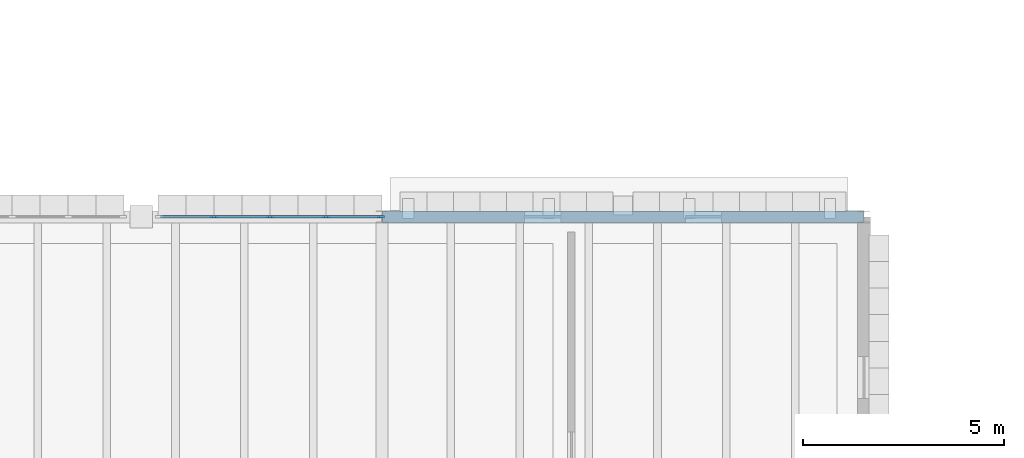
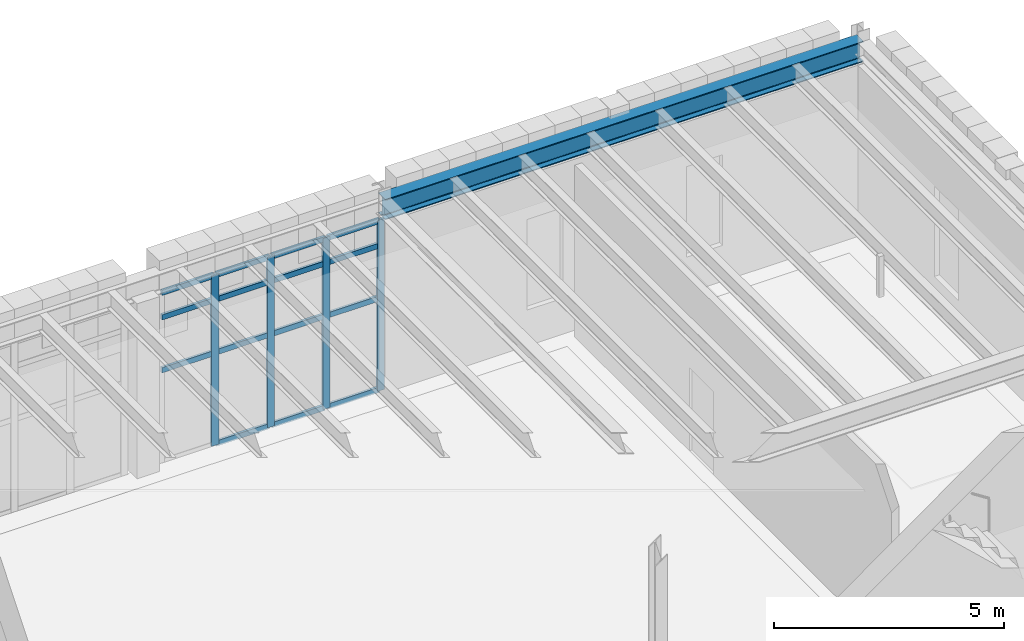
# One storey, part 43 of 100: 19 members, 1 beam, 1 element without a shape of its own.
"""IFC4 building model written with IfcOpenShell, lengths in metres."""

from ifc_helpers import new_model, si_unit, direction, frame, origin, origin_2d, place, context, subcontext, project, spatial, rectangle, i_section, extrude, material, layer, layer_set, material_profile, profile_set, type_object, element, aggregate, save


model = new_model("IFC4")

# Units and contexts
model_context = context("Model", 3, precision=1e-05, world=origin(), true_north=direction((0.0, 1.0)))
body_context = subcontext(model_context, "Body", "Model", "MODEL_VIEW")
ifc_project = project(units=[si_unit("LENGTHUNIT", "METRE"), si_unit("AREAUNIT", "SQUARE_METRE"), si_unit("VOLUMEUNIT", "CUBIC_METRE"), si_unit("PLANEANGLEUNIT", "RADIAN"), si_unit("MASSUNIT", "GRAM", prefix="KILO")], contexts=[model_context])

# Site, building, storey
site_placement = place(None, origin())
site = spatial("IfcSite", under=ifc_project, at=site_placement, CompositionType="ELEMENT")
building_placement = place(site_placement, origin())
building = spatial("IfcBuilding", under=site, at=building_placement, Name="Zlatogorsky Bluff Art Gallery", CompositionType="ELEMENT")
storey_placement = place(building_placement, frame((0.0, 0.0, 5.39990234375)))
storey = spatial("IfcBuildingStorey", under=building, at=storey_placement, Name="L01", CompositionType="ELEMENT", Elevation=5.39990234375)

# Beam
ifc_material_1 = material(Name="Steel S355", Category="steel")
ifc_material_profile_1 = material_profile(ifc_material_1, i_section(OverallWidth=0.300048828125, OverallDepth=0.5400390625, WebThickness=0.012451171875, FlangeThickness=0.02392578125, FilletRadius=0.027099609375, at=origin_2d()), Name="HEA 550")
ifc_profile_set_1 = profile_set([ifc_material_profile_1], Name="Steel S355")
beam_type = type_object("IfcBeamType", Name="Beam BM-06 HEA 550", PredefinedType="BEAM", material=ifc_profile_set_1)
beam_placement = place(storey_placement, frame((144.014892578125, 108.0, 4.840087890625), z_axis=(1.0, 0.0, 0.0), x_axis=(0.0, 1.0, 0.0)))
element("IfcBeam", 1, at=beam_placement, inside=storey, type_object=beam_type, Name="Primary girder BM-06 L01 N-P/11", PredefinedType="BEAM", context=body_context, shape_type="SweptSolid", body=[
    extrude(i_section(OverallWidth=0.300048828125, OverallDepth=0.5400390625, WebThickness=0.012451171875, FlangeThickness=0.02392578125, FilletRadius=0.027099609375, at=origin_2d()), origin(), (0.0, 0.0, 1.0), 11.97021484375),
])

# Curtain wall, members
ifc_material_2 = material(Name="Anodised Bronze Aluminium and Low-Iron Triple Glazing", Category="aluminium")
ifc_layer = layer(ifc_material_2, 0.179931640625)
ifc_layer_set = layer_set([ifc_layer], Name="Curtain Wall CW-01")
curtain_wall_type = type_object("IfcCurtainWallType", Name="Curtain Wall CW-01", PredefinedType="USERDEFINED", material=ifc_layer_set)
curtain_wall_placement = place(storey_placement, origin())
curtain_wall = element("IfcCurtainWall", 2, at=curtain_wall_placement, inside=storey, type_object=curtain_wall_type, Name="Unitised curtain wall CW-01 L01 N 11.9-A", ObjectType="CURTAIN WALL", PredefinedType="USERDEFINED")
ifc_material_3 = material(Name="Anodised Bronze Aluminium", Category="aluminium")
ifc_material_profile_2 = material_profile(ifc_material_3, rectangle(XDim=0.06494140625, YDim=0.179931640625, at=origin_2d()), Name="ALU MULLION 65x180")
ifc_profile_set_2 = profile_set([ifc_material_profile_2], Name="Anodised Bronze Aluminium")
member_type_1 = type_object("IfcMemberType", Name="Curtain Mullion ML-01", PredefinedType="MULLION", material=ifc_profile_set_2)
member_1_placement = place(storey_placement, frame((143.967529296875, 108.0, 0.0), z_axis=(0.0, 0.0, 1.0), x_axis=(0.0, -1.0, 0.0)))
member_1 = element("IfcMember", 3, at=member_1_placement, type_object=member_type_1, Name="CW-01 mullion 1", PredefinedType="MULLION", context=body_context, shape_type="SweptSolid", body=[
    extrude(rectangle(XDim=0.06494140625, YDim=0.179931640625, at=origin_2d()), origin(), (0.0, 0.0, 1.0), 4.530029296875),
])
member_2_placement = place(storey_placement, frame((142.60498046875, 108.0, 0.0), z_axis=(0.0, 0.0, 1.0), x_axis=(0.0, -1.0, 0.0)))
member_2 = element("IfcMember", 4, at=member_2_placement, type_object=member_type_1, Name="CW-01 mullion 2", PredefinedType="MULLION", context=body_context, shape_type="SweptSolid", body=[
    extrude(rectangle(XDim=0.06494140625, YDim=0.179931640625, at=origin_2d()), origin(), (0.0, 0.0, 1.0), 4.530029296875),
])
member_3_placement = place(storey_placement, frame((141.2099609375, 108.0, 0.0), z_axis=(0.0, 0.0, 1.0), x_axis=(0.0, -1.0, 0.0)))
member_3 = element("IfcMember", 5, at=member_3_placement, type_object=member_type_1, Name="CW-01 mullion 3", PredefinedType="MULLION", context=body_context, shape_type="SweptSolid", body=[
    extrude(rectangle(XDim=0.06494140625, YDim=0.179931640625, at=origin_2d()), origin(), (0.0, 0.0, 1.0), 4.530029296875),
])
member_4_placement = place(storey_placement, frame((139.81494140625, 108.0, 0.0), z_axis=(0.0, 0.0, 1.0), x_axis=(0.0, -1.0, 0.0)))
member_4 = element("IfcMember", 6, at=member_4_placement, type_object=member_type_1, Name="CW-01 mullion 4", PredefinedType="MULLION", context=body_context, shape_type="SweptSolid", body=[
    extrude(rectangle(XDim=0.06494140625, YDim=0.179931640625, at=origin_2d()), origin(), (0.0, 0.0, 1.0), 4.530029296875),
])
ifc_material_profile_3 = material_profile(ifc_material_3, rectangle(XDim=0.06494140625, YDim=0.139892578125, at=origin_2d()), Name="ALU TRANSOM 65x140")
ifc_profile_set_3 = profile_set([ifc_material_profile_3], Name="Anodised Bronze Aluminium")
member_type_2 = type_object("IfcMemberType", Name="Curtain Transom TR-01", PredefinedType="USERDEFINED", material=ifc_profile_set_3)
member_5_placement = place(storey_placement, frame((143.93505859375, 108.0, 0.03271484375), z_axis=(-1.0, 0.0, 0.0), x_axis=(0.0, -1.0, 0.0)))
member_5 = element("IfcMember", 7, at=member_5_placement, type_object=member_type_2, Name="CW-01 transom 1.1", ObjectType="TRANSOM", PredefinedType="USERDEFINED", context=body_context, shape_type="SweptSolid", body=[
    extrude(rectangle(XDim=0.06494140625, YDim=0.139892578125, at=origin_2d()), origin(), (0.0, 0.0, 1.0), 1.297607421875),
])
member_6_placement = place(storey_placement, frame((143.93505859375, 108.0, 2.4501953125), z_axis=(-1.0, 0.0, 0.0), x_axis=(0.0, -1.0, 0.0)))
member_6 = element("IfcMember", 8, at=member_6_placement, type_object=member_type_2, Name="CW-01 transom 1.2", ObjectType="TRANSOM", PredefinedType="USERDEFINED", context=body_context, shape_type="SweptSolid", body=[
    extrude(rectangle(XDim=0.06494140625, YDim=0.139892578125, at=origin_2d()), origin(), (0.0, 0.0, 1.0), 1.297607421875),
])
member_7_placement = place(storey_placement, frame((143.93505859375, 108.0, 3.85009765625), z_axis=(-1.0, 0.0, 0.0), x_axis=(0.0, -1.0, 0.0)))
member_7 = element("IfcMember", 9, at=member_7_placement, type_object=member_type_2, Name="CW-01 transom 1.3", ObjectType="TRANSOM", PredefinedType="USERDEFINED", context=body_context, shape_type="SweptSolid", body=[
    extrude(rectangle(XDim=0.06494140625, YDim=0.139892578125, at=origin_2d()), origin(), (0.0, 0.0, 1.0), 1.297607421875),
])
member_8_placement = place(storey_placement, frame((143.93505859375, 108.0, 4.49755859375), z_axis=(-1.0, 0.0, 0.0), x_axis=(0.0, -1.0, 0.0)))
member_8 = element("IfcMember", 10, at=member_8_placement, type_object=member_type_2, Name="CW-01 transom 1.4", ObjectType="TRANSOM", PredefinedType="USERDEFINED", context=body_context, shape_type="SweptSolid", body=[
    extrude(rectangle(XDim=0.06494140625, YDim=0.139892578125, at=origin_2d()), origin(), (0.0, 0.0, 1.0), 1.297607421875),
])
member_9_placement = place(storey_placement, frame((142.572509765625, 108.0, 0.03271484375), z_axis=(-1.0, 0.0, 0.0), x_axis=(0.0, -1.0, 0.0)))
member_9 = element("IfcMember", 11, at=member_9_placement, type_object=member_type_2, Name="CW-01 transom 2.1", ObjectType="TRANSOM", PredefinedType="USERDEFINED", context=body_context, shape_type="SweptSolid", body=[
    extrude(rectangle(XDim=0.06494140625, YDim=0.139892578125, at=origin_2d()), origin(), (0.0, 0.0, 1.0), 1.330078125),
])
member_10_placement = place(storey_placement, frame((142.572509765625, 108.0, 2.4501953125), z_axis=(-1.0, 0.0, 0.0), x_axis=(0.0, -1.0, 0.0)))
member_10 = element("IfcMember", 12, at=member_10_placement, type_object=member_type_2, Name="CW-01 transom 2.2", ObjectType="TRANSOM", PredefinedType="USERDEFINED", context=body_context, shape_type="SweptSolid", body=[
    extrude(rectangle(XDim=0.06494140625, YDim=0.139892578125, at=origin_2d()), origin(), (0.0, 0.0, 1.0), 1.330078125),
])
member_11_placement = place(storey_placement, frame((142.572509765625, 108.0, 3.85009765625), z_axis=(-1.0, 0.0, 0.0), x_axis=(0.0, -1.0, 0.0)))
member_11 = element("IfcMember", 13, at=member_11_placement, type_object=member_type_2, Name="CW-01 transom 2.3", ObjectType="TRANSOM", PredefinedType="USERDEFINED", context=body_context, shape_type="SweptSolid", body=[
    extrude(rectangle(XDim=0.06494140625, YDim=0.139892578125, at=origin_2d()), origin(), (0.0, 0.0, 1.0), 1.330078125),
])
member_12_placement = place(storey_placement, frame((142.572509765625, 108.0, 4.49755859375), z_axis=(-1.0, 0.0, 0.0), x_axis=(0.0, -1.0, 0.0)))
member_12 = element("IfcMember", 14, at=member_12_placement, type_object=member_type_2, Name="CW-01 transom 2.4", ObjectType="TRANSOM", PredefinedType="USERDEFINED", context=body_context, shape_type="SweptSolid", body=[
    extrude(rectangle(XDim=0.06494140625, YDim=0.139892578125, at=origin_2d()), origin(), (0.0, 0.0, 1.0), 1.330078125),
])
member_13_placement = place(storey_placement, frame((141.177490234375, 108.0, 0.03271484375), z_axis=(-1.0, 0.0, 0.0), x_axis=(0.0, -1.0, 0.0)))
member_13 = element("IfcMember", 15, at=member_13_placement, type_object=member_type_2, Name="CW-01 transom 3.1", ObjectType="TRANSOM", PredefinedType="USERDEFINED", context=body_context, shape_type="SweptSolid", body=[
    extrude(rectangle(XDim=0.06494140625, YDim=0.139892578125, at=origin_2d()), origin(), (0.0, 0.0, 1.0), 1.330078125),
])
member_14_placement = place(storey_placement, frame((141.177490234375, 108.0, 2.4501953125), z_axis=(-1.0, 0.0, 0.0), x_axis=(0.0, -1.0, 0.0)))
member_14 = element("IfcMember", 16, at=member_14_placement, type_object=member_type_2, Name="CW-01 transom 3.2", ObjectType="TRANSOM", PredefinedType="USERDEFINED", context=body_context, shape_type="SweptSolid", body=[
    extrude(rectangle(XDim=0.06494140625, YDim=0.139892578125, at=origin_2d()), origin(), (0.0, 0.0, 1.0), 1.330078125),
])
member_15_placement = place(storey_placement, frame((141.177490234375, 108.0, 3.85009765625), z_axis=(-1.0, 0.0, 0.0), x_axis=(0.0, -1.0, 0.0)))
member_15 = element("IfcMember", 17, at=member_15_placement, type_object=member_type_2, Name="CW-01 transom 3.3", ObjectType="TRANSOM", PredefinedType="USERDEFINED", context=body_context, shape_type="SweptSolid", body=[
    extrude(rectangle(XDim=0.06494140625, YDim=0.139892578125, at=origin_2d()), origin(), (0.0, 0.0, 1.0), 1.330078125),
])
member_16_placement = place(storey_placement, frame((141.177490234375, 108.0, 4.49755859375), z_axis=(-1.0, 0.0, 0.0), x_axis=(0.0, -1.0, 0.0)))
member_16 = element("IfcMember", 18, at=member_16_placement, type_object=member_type_2, Name="CW-01 transom 3.4", ObjectType="TRANSOM", PredefinedType="USERDEFINED", context=body_context, shape_type="SweptSolid", body=[
    extrude(rectangle(XDim=0.06494140625, YDim=0.139892578125, at=origin_2d()), origin(), (0.0, 0.0, 1.0), 1.330078125),
])
member_17_placement = place(storey_placement, frame((139.782470703125, 108.0, 2.4501953125), z_axis=(-1.0, 0.0, 0.0), x_axis=(0.0, -1.0, 0.0)))
member_17 = element("IfcMember", 19, at=member_17_placement, type_object=member_type_2, Name="CW-01 transom 4.2", ObjectType="TRANSOM", PredefinedType="USERDEFINED", context=body_context, shape_type="SweptSolid", body=[
    extrude(rectangle(XDim=0.06494140625, YDim=0.139892578125, at=origin_2d()), origin(), (0.0, 0.0, 1.0), 1.29736328125),
])
member_18_placement = place(storey_placement, frame((139.782470703125, 108.0, 3.85009765625), z_axis=(-1.0, 0.0, 0.0), x_axis=(0.0, -1.0, 0.0)))
member_18 = element("IfcMember", 20, at=member_18_placement, type_object=member_type_2, Name="CW-01 transom 4.3", ObjectType="TRANSOM", PredefinedType="USERDEFINED", context=body_context, shape_type="SweptSolid", body=[
    extrude(rectangle(XDim=0.06494140625, YDim=0.139892578125, at=origin_2d()), origin(), (0.0, 0.0, 1.0), 1.29736328125),
])
member_19_placement = place(storey_placement, frame((139.782470703125, 108.0, 4.49755859375), z_axis=(-1.0, 0.0, 0.0), x_axis=(0.0, -1.0, 0.0)))
member_19 = element("IfcMember", 21, at=member_19_placement, type_object=member_type_2, Name="CW-01 transom 4.4", ObjectType="TRANSOM", PredefinedType="USERDEFINED", context=body_context, shape_type="SweptSolid", body=[
    extrude(rectangle(XDim=0.06494140625, YDim=0.139892578125, at=origin_2d()), origin(), (0.0, 0.0, 1.0), 1.29736328125),
])
aggregate(curtain_wall, [member_1, member_2, member_3, member_4, member_5, member_6, member_7, member_8, member_9, member_10, member_11, member_12, member_13, member_14, member_15, member_16, member_17, member_18, member_19])

save(model, "model.ifc")
